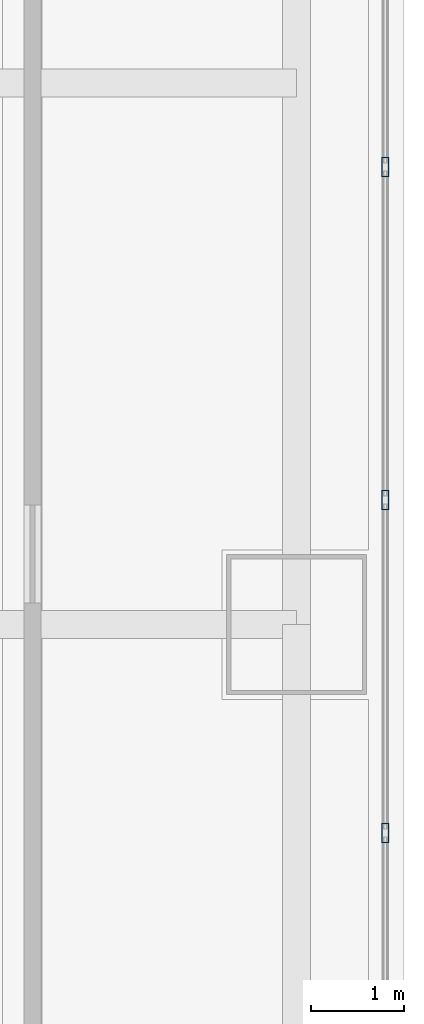
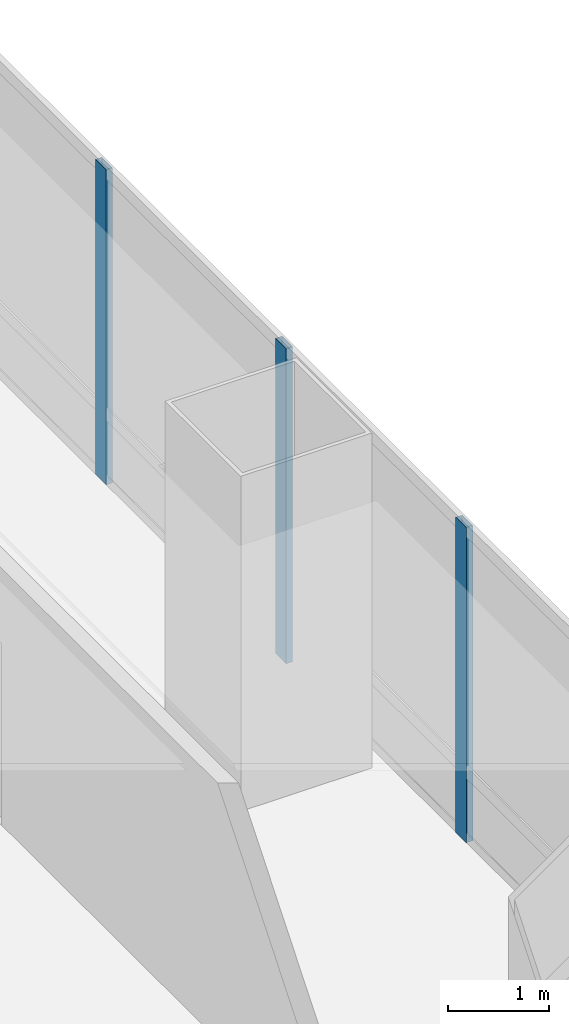
# One storey, part 17 of 36: 3 members, 1 element without a shape of its own.
"""IFC4 building model written with IfcOpenShell, lengths in metres."""

from ifc_helpers import new_model, si_unit, direction, frame, origin, origin_2d, place, context, subcontext, project, spatial, hollow_rectangle, extrude, material, material_profile, profile_set, type_object, element, aggregate, save


model = new_model("IFC4")

# Units and contexts
model_context = context("Model", 3, precision=1e-05, world=origin(), true_north=direction((0.0, 1.0)))
body_context = subcontext(model_context, "Body", "Model", "MODEL_VIEW")
ifc_project = project(units=[si_unit("LENGTHUNIT", "METRE"), si_unit("AREAUNIT", "SQUARE_METRE"), si_unit("VOLUMEUNIT", "CUBIC_METRE"), si_unit("PLANEANGLEUNIT", "RADIAN"), si_unit("MASSUNIT", "GRAM", prefix="KILO")], contexts=[model_context])

# Site, building, storey
site_placement = place(None, origin())
site = spatial("IfcSite", under=ifc_project, at=site_placement, CompositionType="ELEMENT")
building_placement = place(site_placement, origin())
building = spatial("IfcBuilding", under=site, at=building_placement, Name="Punatoya Terracotta Tower", CompositionType="ELEMENT")
storey_placement = place(building_placement, frame((0.0, 0.0, 48.449951171875)))
storey = spatial("IfcBuildingStorey", under=building, at=storey_placement, Name="L10", CompositionType="ELEMENT", Elevation=48.449951171875)

# Curtain wall, members
ifc_material_1 = material(Name="Aluminium 6063-T6 + Double Low-E Glass", Category="aluminium")
curtain_wall_type = type_object("IfcCurtainWallType", Name="CW-M1", PredefinedType="NOTDEFINED", material=ifc_material_1)
curtain_wall_placement = place(storey_placement, origin())
curtain_wall = element("IfcCurtainWall", 1, at=curtain_wall_placement, inside=storey, type_object=curtain_wall_type, Name="L10 Curtain Wall CW-L10-E05-1", PredefinedType="NOTDEFINED")
ifc_material_2 = material(Name="Aluminium 6063-T6", Category="aluminium")
ifc_material_profile = material_profile(ifc_material_2, hollow_rectangle(XDim=0.074951171875, YDim=0.2099609375, WallThickness=0.00439453125, at=origin_2d()))
ifc_profile_set = profile_set([ifc_material_profile], Name="Aluminium 6063-T6")
member_type = type_object("IfcMemberType", Name="CW-MUL-M1", PredefinedType="MULLION", material=ifc_profile_set)
member_1_placement = place(storey_placement, frame((20.050048828125, 1.16748046875, 0.0), z_axis=(0.0, 0.0, 1.0), x_axis=(1.0, 0.0, 0.0)))
member_1 = element("IfcMember", 2, at=member_1_placement, type_object=member_type, Name="CW-L10-E05-1 Mullion 06", PredefinedType="MULLION", context=body_context, shape_type="SweptSolid", body=[
    extrude(hollow_rectangle(XDim=0.074951171875, YDim=0.2099609375, WallThickness=0.00439453125, at=origin_2d()), origin(), (0.0, 0.0, 1.0), 3.81005859375),
])
member_2_placement = place(storey_placement, frame((20.050048828125, 4.73486328125, 0.0), z_axis=(0.0, 0.0, 1.0), x_axis=(1.0, 0.0, 0.0)))
member_2 = element("IfcMember", 3, at=member_2_placement, type_object=member_type, Name="CW-L10-E05-1 Mullion 07", PredefinedType="MULLION", context=body_context, shape_type="SweptSolid", body=[
    extrude(hollow_rectangle(XDim=0.074951171875, YDim=0.2099609375, WallThickness=0.00439453125, at=origin_2d()), origin(), (0.0, 0.0, 1.0), 3.81005859375),
])
member_3_placement = place(storey_placement, frame((20.050048828125, 8.302001953125, 0.0), z_axis=(0.0, 0.0, 1.0), x_axis=(1.0, 0.0, 0.0)))
member_3 = element("IfcMember", 4, at=member_3_placement, type_object=member_type, Name="CW-L10-E05-1 Mullion 08", PredefinedType="MULLION", context=body_context, shape_type="SweptSolid", body=[
    extrude(hollow_rectangle(XDim=0.074951171875, YDim=0.2099609375, WallThickness=0.00439453125, at=origin_2d()), origin(), (0.0, 0.0, 1.0), 3.81005859375),
])
aggregate(curtain_wall, [member_1, member_2, member_3])

save(model, "model.ifc")
